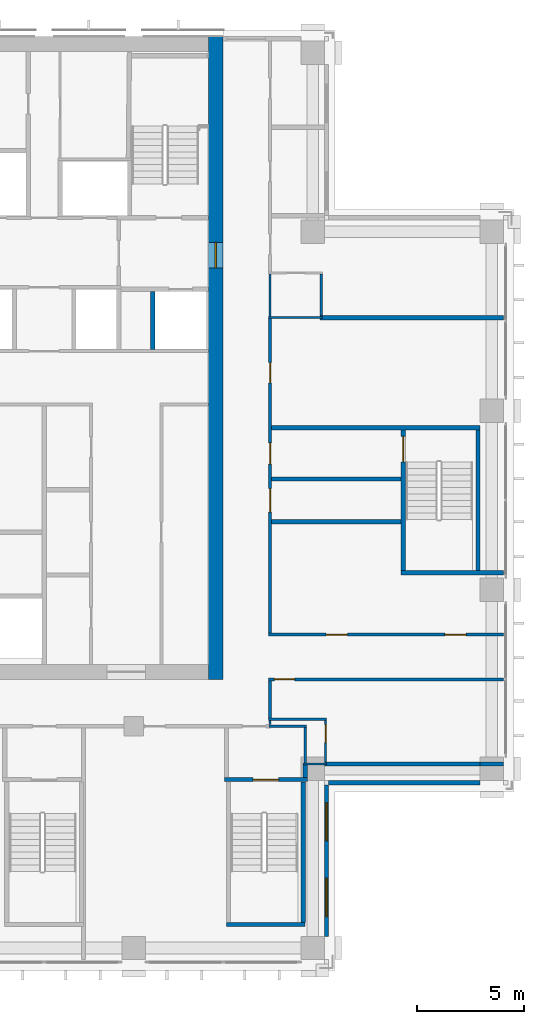
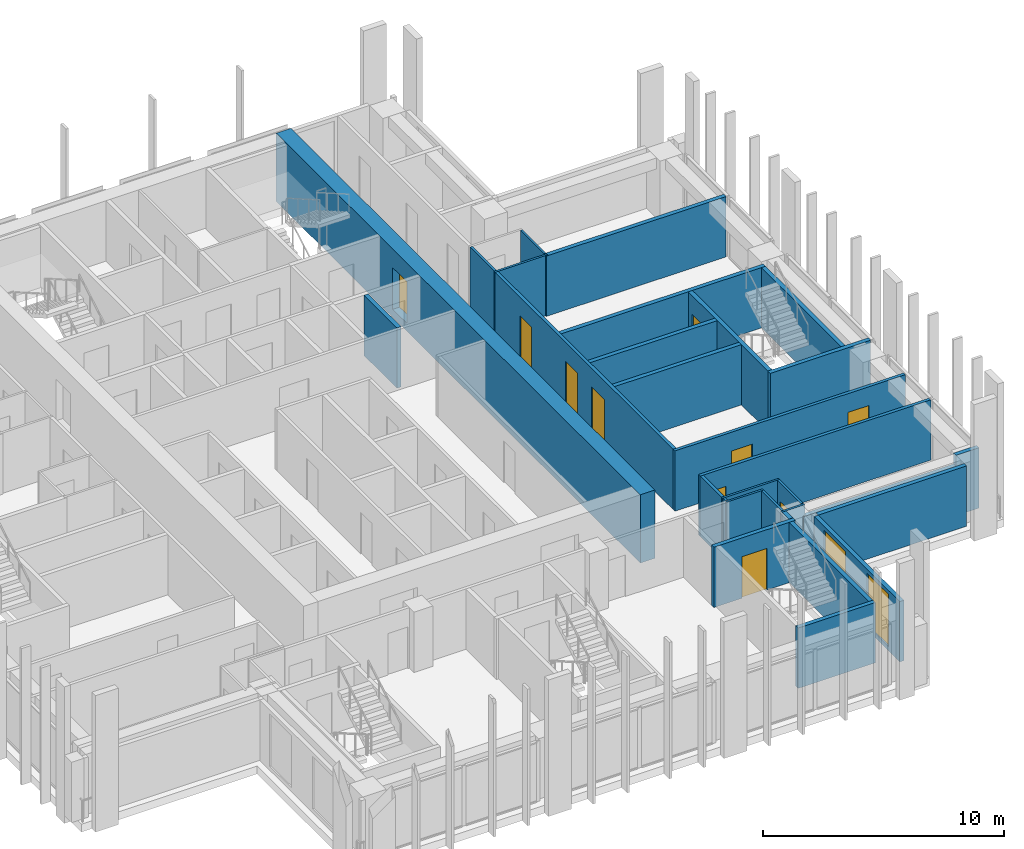
# One storey, part 11 of 17: 30 walls, 10 doors, 2 windows, 12 openings.
"""IFC4 building model written with IfcOpenShell, lengths in metres."""

from ifc_helpers import new_model, si_unit, direction, frame, frame_2d, origin, place, context, subcontext, project, spatial, rectangle, extrude, material, layer, layer_set, type_object, element, fill, save


model = new_model("IFC4")

# Units and contexts
model_context = context("Model", 3, precision=1e-05, world=origin(), true_north=direction((0.0, 1.0)))
body_context = subcontext(model_context, "Body", "Model", "MODEL_VIEW")
ifc_project = project(units=[si_unit("LENGTHUNIT", "METRE"), si_unit("AREAUNIT", "SQUARE_METRE"), si_unit("VOLUMEUNIT", "CUBIC_METRE"), si_unit("PLANEANGLEUNIT", "RADIAN"), si_unit("MASSUNIT", "GRAM", prefix="KILO")], contexts=[model_context])

# Site, building, storey
site_placement = place(None, origin())
site = spatial("IfcSite", under=ifc_project, at=site_placement, CompositionType="ELEMENT")
building_placement = place(site_placement, origin())
building = spatial("IfcBuilding", under=site, at=building_placement, Name="Vermilion Ogive Tower", CompositionType="ELEMENT")
storey_placement = place(building_placement, frame((0.0, 0.0, 157.25)))
storey = spatial("IfcBuildingStorey", under=building, at=storey_placement, Name="L40", CompositionType="ELEMENT", Elevation=157.25)

# Walls
ifc_material_1 = material(Name="Gypsum board partition on steel studs", Category="steel")
ifc_layer_1 = layer(ifc_material_1, 0.10009765625)
ifc_layer_set_1 = layer_set([ifc_layer_1], Name="Partition 100 bath")
wall_type_1 = type_object("IfcWallType", Name="Partition 100 bath", PredefinedType="PARTITIONING", material=ifc_layer_set_1)
wall_1_placement = place(storey_placement, frame((12.152099609375, -12.3701171875, 0.0), z_axis=(0.0, 0.0, 1.0), x_axis=(1.0, 0.0, 0.0)))
element("IfcWall", 1, at=wall_1_placement, inside=storey, type_object=wall_type_1, Name="L40-W-W009", PredefinedType="PARTITIONING", context=body_context, shape_type="SweptSolid", body=[
    extrude(rectangle(XDim=1.097900390625, YDim=0.10009765625, at=frame_2d((0.548828125, 0.0))), origin(), (0.0, 0.0, 1.0), 3.050048828125),
])
wall_2_placement = place(storey_placement, frame((10.550048828125, -10.60009765625, 0.0), z_axis=(0.0, 0.0, 1.0), x_axis=(1.0, 0.0, 0.0)))
element("IfcWall", 2, at=wall_2_placement, inside=storey, type_object=wall_type_1, Name="L40-W-W013", PredefinedType="PARTITIONING", context=body_context, shape_type="SweptSolid", body=[
    extrude(rectangle(XDim=1.75, YDim=0.10009765625, at=frame_2d((0.875, 0.0))), origin(), (0.0, 0.0, 1.0), 3.050048828125),
])
wall_3_placement = place(storey_placement, frame((10.52490234375, -10.27001953125, 0.0), z_axis=(0.0, 0.0, 1.0), x_axis=(1.0, 0.0, 0.0)))
element("IfcWall", 3, at=wall_3_placement, inside=storey, type_object=wall_type_1, Name="L40-W-W015", PredefinedType="PARTITIONING", context=body_context, shape_type="SweptSolid", body=[
    extrude(rectangle(XDim=2.72509765625, YDim=0.10009765625, at=frame_2d((1.362548828125, 0.0))), origin(), (0.0, 0.0, 1.0), 3.050048828125),
])
wall_4_placement = place(storey_placement, frame((10.52490234375, 8.570068359375, 0.0), z_axis=(0.0, 0.0, 1.0), x_axis=(1.0, 0.0, 0.0)))
element("IfcWall", 4, at=wall_4_placement, inside=storey, type_object=wall_type_1, Name="L40-W-W030", PredefinedType="PARTITIONING", context=body_context, shape_type="SweptSolid", body=[
    extrude(rectangle(XDim=2.525146484375, YDim=0.10009765625, at=frame_2d((1.2626953125, 0.0))), origin(), (0.0, 0.0, 1.0), 3.050048828125),
])
wall_5_placement = place(storey_placement, frame((10.60009765625, -10.52490234375, 0.0), z_axis=(0.0, 0.0, 1.0), x_axis=(0.0, 1.0, 0.0)))
element("IfcWall", 5, at=wall_5_placement, inside=storey, type_object=wall_type_1, Name="L40-W-W062", PredefinedType="PARTITIONING", context=body_context, shape_type="SweptSolid", body=[
    extrude(rectangle(XDim=0.204833984375, YDim=0.10009765625, at=frame_2d((0.1025390625, 0.0))), origin(), (0.0, 0.0, 1.0), 3.050048828125),
])
wall_6_placement = place(storey_placement, frame((10.60009765625, 8.6201171875, 0.0), z_axis=(0.0, 0.0, 1.0), x_axis=(0.0, 1.0, 0.0)))
element("IfcWall", 6, at=wall_6_placement, inside=storey, type_object=wall_type_1, Name="L40-W-W065", PredefinedType="PARTITIONING", context=body_context, shape_type="SweptSolid", body=[
    extrude(rectangle(XDim=2.0, YDim=0.10009765625, at=frame_2d((1.0, 0.0))), origin(), (0.0, 0.0, 1.0), 3.050048828125),
])
wall_7_placement = place(storey_placement, frame((12.25, -12.320068359375, 0.0), z_axis=(0.0, 0.0, 1.0), x_axis=(0.0, 1.0, 0.0)))
element("IfcWall", 7, at=wall_7_placement, inside=storey, type_object=wall_type_1, Name="L40-W-W069", PredefinedType="PARTITIONING", context=body_context, shape_type="SweptSolid", body=[
    extrude(rectangle(XDim=1.670166015625, YDim=0.10009765625, at=frame_2d((0.8349609375, 0.0))), origin(), (0.0, 0.0, 1.0), 3.050048828125),
])
wall_8_placement = place(storey_placement, frame((13.0, 8.669921875, 0.0), z_axis=(0.0, 0.0, 1.0), x_axis=(0.0, 1.0, 0.0)))
element("IfcWall", 8, at=wall_8_placement, inside=storey, type_object=wall_type_1, Name="L40-W-W070", PredefinedType="PARTITIONING", context=body_context, shape_type="SweptSolid", body=[
    extrude(rectangle(XDim=1.9501953125, YDim=0.10009765625, at=frame_2d((0.97509765625, 0.0))), origin(), (0.0, 0.0, 1.0), 3.050048828125),
])

# Wall, opening, door
wall_9_placement = place(storey_placement, frame((13.199951171875, -12.27001953125, 0.0), z_axis=(0.0, 0.0, 1.0), x_axis=(0.0, 1.0, 0.0)))
wall_9 = element("IfcWall", 9, at=wall_9_placement, inside=storey, type_object=wall_type_1, Name="L40-W-W071", PredefinedType="PARTITIONING", context=body_context, shape_type="SweptSolid", body=[
    extrude(rectangle(XDim=1.949951171875, YDim=0.10009765625, at=frame_2d((0.97509765625, 0.0))), origin(), (0.0, 0.0, 1.0), 3.050048828125),
])
opening_1_placement = place(wall_9_placement, frame((0.89990234375, 0.0, 0.0)))
opening_1 = element("IfcOpeningElement", 10, at=opening_1_placement, cuts=wall_9, Name="Opening D3G4012", PredefinedType="OPENING", context=body_context, shape_type="SweptSolid", body=[
    extrude(rectangle(XDim=0.85009765625, YDim=2.10009765625, at=frame_2d((0.425048828125, 1.050048828125))), frame((0.0, 0.06005859375, 0.0), z_axis=(0.0, -1.0, 0.0), x_axis=(1.0, 0.0, 0.0)), (0.0, 0.0, 1.0), 0.1201171875),
])
ifc_material_2 = material(Name="Timber door leaf", Category="wood")
door_type_1 = type_object("IfcDoorType", Name="Bath door 850 x 2100 FD30", OperationType="SINGLE_SWING_LEFT", PredefinedType="DOOR", material=ifc_material_2)
door_1_placement = place(opening_1_placement, origin())
door_1 = element("IfcDoor", 11, at=door_1_placement, inside=storey, type_object=door_type_1, Name="L40-D-D012", OperationType="SINGLE_SWING_LEFT", OverallHeight=2.10009765625, OverallWidth=0.85009765625, PredefinedType="DOOR", context=body_context, shape_type="SweptSolid", body=[
    extrude(rectangle(XDim=0.85009765625, YDim=2.10009765625, at=frame_2d((0.425048828125, 1.050048828125))), frame((0.0, 0.02490234375, 0.0), z_axis=(0.0, -1.0, 0.0), x_axis=(1.0, 0.0, 0.0)), (0.0, 0.0, 1.0), 0.050048828125),
])
fill(opening_1, door_1)

ifc_material_3 = material(Name="Gypsum board partition on steel studs", Category="steel")
ifc_layer_2 = layer(ifc_material_3, 0.14990234375)
ifc_layer_set_2 = layer_set([ifc_layer_2], Name="Partition 150 corridor")
wall_type_2 = type_object("IfcWallType", Name="Partition 150 corridor", PredefinedType="PARTITIONING", material=ifc_layer_set_2)
wall_10_placement = place(storey_placement, frame((10.52490234375, -8.39990234375, 0.0), z_axis=(0.0, 0.0, 1.0), x_axis=(1.0, 0.0, 0.0)))
wall_10 = element("IfcWall", 12, at=wall_10_placement, inside=storey, type_object=wall_type_2, Name="L40-W-W017", PredefinedType="PARTITIONING", context=body_context, shape_type="SweptSolid", body=[
    extrude(rectangle(XDim=11.025146484375, YDim=0.14990234375, at=frame_2d((5.5126953125, 0.0))), origin(), (0.0, 0.0, 1.0), 3.050048828125),
])
opening_2_placement = place(wall_10_placement, frame((0.275146484375, 0.0, 0.0)))
opening_2 = element("IfcOpeningElement", 13, at=opening_2_placement, cuts=wall_10, Name="Opening D3G4011", PredefinedType="OPENING", context=body_context, shape_type="SweptSolid", body=[
    extrude(rectangle(XDim=0.949951171875, YDim=2.10009765625, at=frame_2d((0.47509765625, 1.050048828125))), frame((0.0, 0.0849609375, 0.0), z_axis=(0.0, -1.0, 0.0), x_axis=(1.0, 0.0, 0.0)), (0.0, 0.0, 1.0), 0.169921875),
])
ifc_material_4 = material(Name="Timber door leaf", Category="wood")
door_type_2 = type_object("IfcDoorType", Name="Unit door 950 x 2100 FD30S", OperationType="SINGLE_SWING_LEFT", PredefinedType="DOOR", material=ifc_material_4)
door_2_placement = place(opening_2_placement, origin())
door_2 = element("IfcDoor", 14, at=door_2_placement, inside=storey, type_object=door_type_2, Name="L40-D-D011", OperationType="SINGLE_SWING_RIGHT", OverallHeight=2.10009765625, OverallWidth=0.949951171875, PredefinedType="DOOR", context=body_context, shape_type="SweptSolid", body=[
    extrude(rectangle(XDim=0.949951171875, YDim=2.10009765625, at=frame_2d((0.47509765625, 1.050048828125))), frame((0.0, 0.02490234375, 0.0), z_axis=(0.0, -1.0, 0.0), x_axis=(1.0, 0.0, 0.0)), (0.0, 0.0, 1.0), 0.050048828125),
])
fill(opening_2, door_2)

# Wall, openings, doors
wall_11_placement = place(storey_placement, frame((10.52490234375, -6.300048828125, 0.0), z_axis=(0.0, 0.0, 1.0), x_axis=(1.0, 0.0, 0.0)))
wall_11 = element("IfcWall", 15, at=wall_11_placement, inside=storey, type_object=wall_type_2, Name="L40-W-W019", PredefinedType="PARTITIONING", context=body_context, shape_type="SweptSolid", body=[
    extrude(rectangle(XDim=11.025146484375, YDim=0.14990234375, at=frame_2d((5.5126953125, 0.0))), origin(), (0.0, 0.0, 1.0), 3.050048828125),
])
opening_3_placement = place(wall_11_placement, frame((2.7001953125, 0.0, 0.0)))
opening_3 = element("IfcOpeningElement", 16, at=opening_3_placement, cuts=wall_11, Name="Opening D3G4030", PredefinedType="OPENING", context=body_context, shape_type="SweptSolid", body=[
    extrude(rectangle(XDim=1.0, YDim=2.10009765625, at=frame_2d((0.5, 1.050048828125))), frame((0.0, 0.0849609375, 0.0), z_axis=(0.0, -1.0, 0.0), x_axis=(1.0, 0.0, 0.0)), (0.0, 0.0, 1.0), 0.169921875),
])
opening_4_placement = place(wall_11_placement, frame((8.275634765625, 0.0, 0.0)))
opening_4 = element("IfcOpeningElement", 17, at=opening_4_placement, cuts=wall_11, Name="Opening D3G4031", PredefinedType="OPENING", context=body_context, shape_type="SweptSolid", body=[
    extrude(rectangle(XDim=1.0, YDim=2.10009765625, at=frame_2d((0.5, 1.050048828125))), frame((0.0, 0.0849609375, 0.0), z_axis=(0.0, -1.0, 0.0), x_axis=(1.0, 0.0, 0.0)), (0.0, 0.0, 1.0), 0.169921875),
])
ifc_material_5 = material(Name="Timber door leaf", Category="wood")
door_type_3 = type_object("IfcDoorType", Name="Unit door 1000 x 2100 FD30S", OperationType="SINGLE_SWING_LEFT", PredefinedType="DOOR", material=ifc_material_5)
door_3_placement = place(opening_3_placement, origin())
door_3 = element("IfcDoor", 18, at=door_3_placement, inside=storey, type_object=door_type_3, Name="L40-D-D030", OperationType="SINGLE_SWING_RIGHT", OverallHeight=2.10009765625, OverallWidth=1.0, PredefinedType="DOOR", context=body_context, shape_type="SweptSolid", body=[
    extrude(rectangle(XDim=1.0, YDim=2.10009765625, at=frame_2d((0.5, 1.050048828125))), frame((0.0, 0.02490234375, 0.0), z_axis=(0.0, -1.0, 0.0), x_axis=(1.0, 0.0, 0.0)), (0.0, 0.0, 1.0), 0.050048828125),
])
fill(opening_3, door_3)
door_4_placement = place(opening_4_placement, origin())
door_4 = element("IfcDoor", 19, at=door_4_placement, inside=storey, type_object=door_type_3, Name="L40-D-D031", OperationType="SINGLE_SWING_RIGHT", OverallHeight=2.10009765625, OverallWidth=1.0, PredefinedType="DOOR", context=body_context, shape_type="SweptSolid", body=[
    extrude(rectangle(XDim=1.0, YDim=2.10009765625, at=frame_2d((0.5, 1.050048828125))), frame((0.0, 0.02490234375, 0.0), z_axis=(0.0, -1.0, 0.0), x_axis=(1.0, 0.0, 0.0)), (0.0, 0.0, 1.0), 0.050048828125),
])
fill(opening_4, door_4)

# Wall
wall_12_placement = place(storey_placement, frame((10.60009765625, -10.219970703125, 0.0), z_axis=(0.0, 0.0, 1.0), x_axis=(0.0, 1.0, 0.0)))
element("IfcWall", 20, at=wall_12_placement, inside=storey, type_object=wall_type_2, Name="L40-W-W063", PredefinedType="PARTITIONING", context=body_context, shape_type="SweptSolid", body=[
    extrude(rectangle(XDim=1.744873046875, YDim=0.14990234375, at=frame_2d((0.87255859375, 0.0))), origin(), (0.0, 0.0, 1.0), 3.050048828125),
])

# Wall, openings, doors
wall_13_placement = place(storey_placement, frame((10.60009765625, -6.22509765625, 0.0), z_axis=(0.0, 0.0, 1.0), x_axis=(0.0, 1.0, 0.0)))
wall_13 = element("IfcWall", 21, at=wall_13_placement, inside=storey, type_object=wall_type_2, Name="L40-W-W064", PredefinedType="PARTITIONING", context=body_context, shape_type="SweptSolid", body=[
    extrude(rectangle(XDim=14.7451171875, YDim=0.14990234375, at=frame_2d((7.37255859375, 0.0))), origin(), (0.0, 0.0, 1.0), 3.050048828125),
])
opening_5_placement = place(wall_13_placement, frame((11.735107421875, 0.0, 0.0)))
opening_5 = element("IfcOpeningElement", 22, at=opening_5_placement, cuts=wall_13, Name="Opening D3G4013", PredefinedType="OPENING", context=body_context, shape_type="SweptSolid", body=[
    extrude(rectangle(XDim=0.949951171875, YDim=2.10009765625, at=frame_2d((0.47509765625, 1.050048828125))), frame((0.0, 0.0849609375, 0.0), z_axis=(0.0, -1.0, 0.0), x_axis=(1.0, 0.0, 0.0)), (0.0, 0.0, 1.0), 0.169921875),
])
opening_6_placement = place(wall_13_placement, frame((5.675048828125, 0.0, 0.0)))
opening_6 = element("IfcOpeningElement", 23, at=opening_6_placement, cuts=wall_13, Name="Opening D3G4024", PredefinedType="OPENING", context=body_context, shape_type="SweptSolid", body=[
    extrude(rectangle(XDim=1.10009765625, YDim=2.10009765625, at=frame_2d((0.550048828125, 1.050048828125))), frame((0.0, 0.0849609375, 0.0), z_axis=(0.0, -1.0, 0.0), x_axis=(1.0, 0.0, 0.0)), (0.0, 0.0, 1.0), 0.169921875),
])
opening_7_placement = place(wall_13_placement, frame((7.925048828125, 0.0, 0.0)))
opening_7 = element("IfcOpeningElement", 24, at=opening_7_placement, cuts=wall_13, Name="Opening D3G4033", PredefinedType="OPENING", context=body_context, shape_type="SweptSolid", body=[
    extrude(rectangle(XDim=1.0, YDim=2.10009765625, at=frame_2d((0.5, 1.050048828125))), frame((0.0, 0.0849609375, 0.0), z_axis=(0.0, -1.0, 0.0), x_axis=(1.0, 0.0, 0.0)), (0.0, 0.0, 1.0), 0.169921875),
])
ifc_material_6 = material(Name="Timber door leaf", Category="wood")
door_type_4 = type_object("IfcDoorType", Name="Stair door 1100 x 2100 FD60S", OperationType="SINGLE_SWING_LEFT", PredefinedType="DOOR", material=ifc_material_6)
door_5_placement = place(opening_6_placement, origin())
door_5 = element("IfcDoor", 25, at=door_5_placement, inside=storey, type_object=door_type_4, Name="L40-D-D024", OperationType="SINGLE_SWING_LEFT", OverallHeight=2.10009765625, OverallWidth=1.10009765625, PredefinedType="DOOR", context=body_context, shape_type="SweptSolid", body=[
    extrude(rectangle(XDim=1.10009765625, YDim=2.10009765625, at=frame_2d((0.550048828125, 1.050048828125))), frame((0.0, 0.02490234375, 0.0), z_axis=(0.0, -1.0, 0.0), x_axis=(1.0, 0.0, 0.0)), (0.0, 0.0, 1.0), 0.050048828125),
])
fill(opening_6, door_5)
door_6_placement = place(opening_7_placement, origin())
door_6 = element("IfcDoor", 26, at=door_6_placement, inside=storey, type_object=door_type_3, Name="L40-D-D033", OperationType="SINGLE_SWING_RIGHT", OverallHeight=2.10009765625, OverallWidth=1.0, PredefinedType="DOOR", context=body_context, shape_type="SweptSolid", body=[
    extrude(rectangle(XDim=1.0, YDim=2.10009765625, at=frame_2d((0.5, 1.050048828125))), frame((0.0, 0.02490234375, 0.0), z_axis=(0.0, -1.0, 0.0), x_axis=(1.0, 0.0, 0.0)), (0.0, 0.0, 1.0), 0.050048828125),
])
fill(opening_7, door_6)
door_7_placement = place(opening_5_placement, origin())
door_7 = element("IfcDoor", 27, at=door_7_placement, inside=storey, type_object=door_type_2, Name="L40-D-D013", OperationType="SINGLE_SWING_LEFT", OverallHeight=2.10009765625, OverallWidth=0.949951171875, PredefinedType="DOOR", context=body_context, shape_type="SweptSolid", body=[
    extrude(rectangle(XDim=0.949951171875, YDim=2.10009765625, at=frame_2d((0.47509765625, 1.050048828125))), frame((0.0, 0.02490234375, 0.0), z_axis=(0.0, -1.0, 0.0), x_axis=(1.0, 0.0, 0.0)), (0.0, 0.0, 1.0), 0.050048828125),
])
fill(opening_5, door_7)

# Walls
ifc_material_7 = material(Name="Gypsum board partition on steel studs", Category="steel")
ifc_layer_3 = layer(ifc_material_7, 0.199951171875)
ifc_layer_set_3 = layer_set([ifc_layer_3], Name="Partition 200 party")
wall_type_3 = type_object("IfcWallType", Name="Partition 200 party", PredefinedType="PARTITIONING", material=ifc_layer_set_3)
for number, where, z_axis, x_axis, name in (
    (28, (10.675048828125, -1.0, 0.0), (0.0, 0.0, 1.0), (1.0, 0.0, 0.0), "L40-W-W023"),
    (29, (10.675048828125, 1.0, 0.0), (0.0, 0.0, 1.0), (1.0, 0.0, 0.0), "L40-W-W025"),
):
    element("IfcWall", number, at=place(storey_placement, frame(where, z_axis=z_axis, x_axis=x_axis)), inside=storey, type_object=wall_type_3, Name=name, PredefinedType="PARTITIONING", context=body_context, shape_type="SweptSolid", body=[
        extrude(rectangle(XDim=6.074951171875, YDim=0.199951171875, at=frame_2d((3.03759765625, 0.0))), origin(), (0.0, 0.0, 1.0), 3.050048828125),
    ])
wall_14_placement = place(storey_placement, frame((12.949951171875, 8.570068359375, 0.0), z_axis=(0.0, 0.0, 1.0), x_axis=(1.0, 0.0, 0.0)))
element("IfcWall", 30, at=wall_14_placement, inside=storey, type_object=wall_type_3, Name="L40-W-W031", PredefinedType="PARTITIONING", context=body_context, shape_type="SweptSolid", body=[
    extrude(rectangle(XDim=8.60009765625, YDim=0.199951171875, at=frame_2d((4.300048828125, 0.0))), origin(), (0.0, 0.0, 1.0), 3.050048828125),
])
wall_15_placement = place(storey_placement, frame((12.25, -12.998046875, 0.0), z_axis=(0.0, 0.0, 1.0), x_axis=(0.0, 1.0, 0.0)))
element("IfcWall", 31, at=wall_15_placement, inside=storey, type_object=wall_type_3, Name="L40-W-W068", PredefinedType="PARTITIONING", context=body_context, shape_type="SweptSolid", body=[
    extrude(rectangle(XDim=0.575927734375, YDim=0.199951171875, at=frame_2d((0.2880859375, 0.0))), origin(), (0.0, 0.0, 1.0), 3.050048828125),
])
wall_16_placement = place(storey_placement, frame((5.10009765625, 7.074951171875, 0.0), z_axis=(0.0, 0.0, 1.0), x_axis=(0.0, 1.0, 0.0)))
element("IfcWall", 32, at=wall_16_placement, inside=storey, type_object=wall_type_3, Name="L40-CK-W-W037", PredefinedType="PARTITIONING", context=body_context, shape_type="SweptSolid", body=[
    extrude(rectangle(XDim=2.72509765625, YDim=0.199951171875, at=frame_2d((1.362548828125, 0.0))), origin(), (0.0, 0.0, 1.0), 3.050048828125),
])
wall_17_placement = place(storey_placement, frame((13.14990234375, -12.3701171875, 0.0), z_axis=(0.0, 0.0, 1.0), x_axis=(1.0, 0.0, 0.0)))
element("IfcWall", 33, at=wall_17_placement, inside=storey, type_object=wall_type_3, Name="L40-W-W010-h1", PredefinedType="PARTITIONING", context=body_context, shape_type="SweptSolid", body=[
    extrude(rectangle(XDim=7.300048828125, YDim=0.199951171875, at=frame_2d((3.64990234375, 0.0))), origin(), (0.0, 0.0, 1.0), 2.5),
])
wall_18_placement = place(storey_placement, frame((20.449951171875, -12.3701171875, 0.0), z_axis=(0.0, 0.0, 1.0), x_axis=(1.0, 0.0, 0.0)))
element("IfcWall", 34, at=wall_18_placement, inside=storey, type_object=wall_type_3, Name="L40-W-W010-h2", PredefinedType="PARTITIONING", context=body_context, shape_type="SweptSolid", body=[
    extrude(rectangle(XDim=1.10009765625, YDim=0.199951171875, at=frame_2d((0.550048828125, 0.0))), origin(), (0.0, 0.0, 1.0), 3.050048828125),
])

# Wall, opening, door
ifc_material_8 = material(Name="Concrete B60", Category="concrete")
ifc_layer_4 = layer(ifc_material_8, 0.199951171875)
ifc_layer_set_4 = layer_set([ifc_layer_4], Name="Stair shaft wall 200 Concrete B60")
wall_type_4 = type_object("IfcWallType", Name="Stair shaft wall 200 Concrete B60", PredefinedType="SOLIDWALL", material=ifc_layer_set_4)
wall_19_placement = place(storey_placement, frame((8.050048828125, -8.39990234375, -0.39990234375), z_axis=(0.0, 0.0, 1.0), x_axis=(0.0, 1.0, 0.0)))
wall_19 = element("IfcWall", 35, at=wall_19_placement, inside=storey, type_object=wall_type_4, Name="L40-CORE-E", PredefinedType="SOLIDWALL", context=body_context, shape_type="SweptSolid", body=[
    extrude(rectangle(XDim=30.14990234375, YDim=0.699951171875, at=frame_2d((15.074951171875, 0.0))), origin(), (0.0, 0.0, 1.0), 3.449951171875),
])
opening_8_placement = place(wall_19_placement, frame((19.300048828125, 0.0, 0.39990234375)))
opening_8 = element("IfcOpeningElement", 36, at=opening_8_placement, cuts=wall_19, Name="Opening DAL016", PredefinedType="OPENING", context=body_context, shape_type="SweptSolid", body=[
    extrude(rectangle(XDim=1.199951171875, YDim=2.10009765625, at=frame_2d((0.60009765625, 1.050048828125))), frame((0.0, 0.35986328125, 0.0), z_axis=(0.0, -1.0, 0.0), x_axis=(1.0, 0.0, 0.0)), (0.0, 0.0, 1.0), 0.719970703125),
])
ifc_material_9 = material(Name="Timber door leaf", Category="wood")
door_type_5 = type_object("IfcDoorType", Name="Link door 1200 x 2100 FD60S", OperationType="SINGLE_SWING_LEFT", PredefinedType="DOOR", material=ifc_material_9)
door_8_placement = place(opening_8_placement, origin())
door_8 = element("IfcDoor", 37, at=door_8_placement, inside=storey, type_object=door_type_5, Name="L40-CK-XD4", OperationType="SINGLE_SWING_LEFT", OverallHeight=2.10009765625, OverallWidth=1.199951171875, PredefinedType="DOOR", context=body_context, shape_type="SweptSolid", body=[
    extrude(rectangle(XDim=1.199951171875, YDim=2.10009765625, at=frame_2d((0.60009765625, 1.050048828125))), frame((0.0, 0.02490234375, 0.0), z_axis=(0.0, -1.0, 0.0), x_axis=(1.0, 0.0, 0.0)), (0.0, 0.0, 1.0), 0.050048828125),
])
fill(opening_8, door_8)

# Wall
wall_20_placement = place(storey_placement, frame((8.552001953125, -19.89990234375, 0.0), z_axis=(0.0, 0.0, 1.0), x_axis=(1.0, 0.0, 0.0)))
element("IfcWall", 38, at=wall_20_placement, inside=storey, type_object=wall_type_4, Name="L40-W-W003", PredefinedType="SOLIDWALL", context=body_context, shape_type="SweptSolid", body=[
    extrude(rectangle(XDim=3.696044921875, YDim=0.199951171875, at=frame_2d((1.84814453125, 0.0))), origin(), (0.0, 0.0, 1.0), 3.050048828125),
])

# Wall, opening, door
wall_21_placement = place(storey_placement, frame((8.451904296875, -13.10009765625, 0.0), z_axis=(0.0, 0.0, 1.0), x_axis=(1.0, 0.0, 0.0)))
wall_21 = element("IfcWall", 39, at=wall_21_placement, inside=storey, type_object=wall_type_4, Name="L40-W-W006", PredefinedType="SOLIDWALL", context=body_context, shape_type="SweptSolid", body=[
    extrude(rectangle(XDim=3.89599609375, YDim=0.199951171875, at=frame_2d((1.947998046875, 0.0))), origin(), (0.0, 0.0, 1.0), 3.050048828125),
])
opening_9_placement = place(wall_21_placement, frame((1.34814453125, 0.0, 0.0)))
opening_9 = element("IfcOpeningElement", 40, at=opening_9_placement, cuts=wall_21, Name="Opening D3G4023", PredefinedType="OPENING", context=body_context, shape_type="SweptSolid", body=[
    extrude(rectangle(XDim=1.199951171875, YDim=2.10009765625, at=frame_2d((0.60009765625, 1.050048828125))), frame((0.0, 0.10986328125, 0.0), z_axis=(0.0, -1.0, 0.0), x_axis=(1.0, 0.0, 0.0)), (0.0, 0.0, 1.0), 0.219970703125),
])
ifc_material_10 = material(Name="Timber door leaf", Category="wood")
door_type_6 = type_object("IfcDoorType", Name="Stair door 1200 x 2100 FD60S", OperationType="SINGLE_SWING_LEFT", PredefinedType="DOOR", material=ifc_material_10)
door_9_placement = place(opening_9_placement, origin())
door_9 = element("IfcDoor", 41, at=door_9_placement, inside=storey, type_object=door_type_6, Name="L40-D-D023", OperationType="SINGLE_SWING_RIGHT", OverallHeight=2.10009765625, OverallWidth=1.199951171875, PredefinedType="DOOR", context=body_context, shape_type="SweptSolid", body=[
    extrude(rectangle(XDim=1.199951171875, YDim=2.10009765625, at=frame_2d((0.60009765625, 1.050048828125))), frame((0.0, 0.02490234375, 0.0), z_axis=(0.0, -1.0, 0.0), x_axis=(1.0, 0.0, 0.0)), (0.0, 0.0, 1.0), 0.050048828125),
])
fill(opening_9, door_9)

# Walls
wall_22_placement = place(storey_placement, frame((16.7509765625, -3.39990234375, 0.0), z_axis=(0.0, 0.0, 1.0), x_axis=(1.0, 0.0, 0.0)))
element("IfcWall", 42, at=wall_22_placement, inside=storey, type_object=wall_type_4, Name="L40-W-W021", PredefinedType="SOLIDWALL", context=body_context, shape_type="SweptSolid", body=[
    extrude(rectangle(XDim=4.799072265625, YDim=0.199951171875, at=frame_2d((2.3994140625, 0.0))), origin(), (0.0, 0.0, 1.0), 3.050048828125),
])
wall_23_placement = place(storey_placement, frame((10.675048828125, 3.39990234375, 0.0), z_axis=(0.0, 0.0, 1.0), x_axis=(1.0, 0.0, 0.0)))
element("IfcWall", 43, at=wall_23_placement, inside=storey, type_object=wall_type_4, Name="L40-W-W028", PredefinedType="SOLIDWALL", context=body_context, shape_type="SweptSolid", body=[
    extrude(rectangle(XDim=9.77294921875, YDim=0.199951171875, at=frame_2d((4.886474609375, 0.0))), origin(), (0.0, 0.0, 1.0), 3.050048828125),
])
wall_24_placement = place(storey_placement, frame((12.14990234375, -19.798095703125, 0.0), z_axis=(0.0, 0.0, 1.0), x_axis=(0.0, 1.0, 0.0)))
element("IfcWall", 44, at=wall_24_placement, inside=storey, type_object=wall_type_4, Name="L40-W-W067", PredefinedType="SOLIDWALL", context=body_context, shape_type="SweptSolid", body=[
    extrude(rectangle(XDim=6.59619140625, YDim=0.199951171875, at=frame_2d((3.298095703125, 0.0))), origin(), (0.0, 0.0, 1.0), 3.050048828125),
])

# Wall, opening, door
wall_25_placement = place(storey_placement, frame((16.85009765625, -3.300048828125, 0.0), z_axis=(0.0, 0.0, 1.0), x_axis=(0.0, 1.0, 0.0)))
wall_25 = element("IfcWall", 45, at=wall_25_placement, inside=storey, type_object=wall_type_4, Name="L40-W-W072", PredefinedType="SOLIDWALL", context=body_context, shape_type="SweptSolid", body=[
    extrude(rectangle(XDim=6.60009765625, YDim=0.199951171875, at=frame_2d((3.300048828125, 0.0))), origin(), (0.0, 0.0, 1.0), 3.050048828125),
])
opening_10_placement = place(wall_25_placement, frame((5.10009765625, 0.0, 0.0)))
opening_10 = element("IfcOpeningElement", 46, at=opening_10_placement, cuts=wall_25, Name="Opening D3G4025", PredefinedType="OPENING", context=body_context, shape_type="SweptSolid", body=[
    extrude(rectangle(XDim=1.199951171875, YDim=2.10009765625, at=frame_2d((0.60009765625, 1.050048828125))), frame((0.0, 0.10986328125, 0.0), z_axis=(0.0, -1.0, 0.0), x_axis=(1.0, 0.0, 0.0)), (0.0, 0.0, 1.0), 0.219970703125),
])
door_10_placement = place(opening_10_placement, origin())
door_10 = element("IfcDoor", 47, at=door_10_placement, inside=storey, type_object=door_type_6, Name="L40-D-D025", OperationType="SINGLE_SWING_LEFT", OverallHeight=2.10009765625, OverallWidth=1.199951171875, PredefinedType="DOOR", context=body_context, shape_type="SweptSolid", body=[
    extrude(rectangle(XDim=1.199951171875, YDim=2.10009765625, at=frame_2d((0.60009765625, 1.050048828125))), frame((0.0, 0.02490234375, 0.0), z_axis=(0.0, -1.0, 0.0), x_axis=(1.0, 0.0, 0.0)), (0.0, 0.0, 1.0), 0.050048828125),
])
fill(opening_10, door_10)

# Wall
wall_26_placement = place(storey_placement, frame((20.35009765625, -3.298095703125, 0.0), z_axis=(0.0, 0.0, 1.0), x_axis=(0.0, 1.0, 0.0)))
element("IfcWall", 48, at=wall_26_placement, inside=storey, type_object=wall_type_4, Name="L40-W-W073", PredefinedType="SOLIDWALL", context=body_context, shape_type="SweptSolid", body=[
    extrude(rectangle(XDim=6.59619140625, YDim=0.199951171875, at=frame_2d((3.298095703125, 0.0))), origin(), (0.0, 0.0, 1.0), 3.050048828125),
])

# Wall, openings, windows
ifc_material_11 = material(Name="Aluminium window wall framing", Category="aluminium")
ifc_layer_5 = layer(ifc_material_11, 0.199951171875)
ifc_layer_set_5 = layer_set([ifc_layer_5], Name="Window wall")
wall_type_5 = type_object("IfcWallType", Name="Window wall", PredefinedType="STANDARD", material=ifc_layer_set_5)
wall_27_placement = place(storey_placement, frame((13.25, -20.449951171875, 0.0), z_axis=(0.0, 0.0, 1.0), x_axis=(0.0, 1.0, 0.0)))
wall_27 = element("IfcWall", 49, at=wall_27_placement, inside=storey, type_object=wall_type_5, Name="Window wall X11", PredefinedType="STANDARD", context=body_context, shape_type="SweptSolid", body=[
    extrude(rectangle(XDim=7.099853515625, YDim=0.199951171875, at=frame_2d((3.5498046875, 0.0))), origin(), (0.0, 0.0, 1.0), 3.050048828125),
])
opening_11_placement = place(wall_27_placement, frame((0.925048828125, 0.0, 0.199951171875)))
opening_11 = element("IfcOpeningElement", 50, at=opening_11_placement, cuts=wall_27, Name="Opening W1-X195", PredefinedType="OPENING", context=body_context, shape_type="SweptSolid", body=[
    extrude(rectangle(XDim=1.800048828125, YDim=2.64990234375, at=frame_2d((0.89990234375, 1.324951171875))), frame((0.0, 0.10986328125, 0.0), z_axis=(0.0, -1.0, 0.0), x_axis=(1.0, 0.0, 0.0)), (0.0, 0.0, 1.0), 0.219970703125),
])
opening_12_placement = place(wall_27_placement, frame((4.47509765625, 0.0, 0.199951171875)))
opening_12 = element("IfcOpeningElement", 51, at=opening_12_placement, cuts=wall_27, Name="Opening W1-X196", PredefinedType="OPENING", context=body_context, shape_type="SweptSolid", body=[
    extrude(rectangle(XDim=1.800048828125, YDim=2.64990234375, at=frame_2d((0.89990234375, 1.324951171875))), frame((0.0, 0.10986328125, 0.0), z_axis=(0.0, -1.0, 0.0), x_axis=(1.0, 0.0, 0.0)), (0.0, 0.0, 1.0), 0.219970703125),
])
ifc_material_12 = material(Name="Aluminium framed double glazing", Category="aluminium")
window_type = type_object("IfcWindowType", Name="Guest window W1", PartitioningType="SINGLE_PANEL", PredefinedType="WINDOW", material=ifc_material_12)
window_1_placement = place(opening_11_placement, origin())
window_1 = element("IfcWindow", 52, at=window_1_placement, inside=storey, type_object=window_type, Name="Window X195", OverallHeight=2.64990234375, OverallWidth=1.800048828125, PartitioningType="SINGLE_PANEL", PredefinedType="WINDOW", context=body_context, shape_type="SweptSolid", body=[
    extrude(rectangle(XDim=1.800048828125, YDim=2.64990234375, at=frame_2d((0.89990234375, 1.324951171875))), frame((0.0, 0.030029296875, 0.0), z_axis=(0.0, -1.0, 0.0), x_axis=(1.0, 0.0, 0.0)), (0.0, 0.0, 1.0), 0.06005859375),
])
fill(opening_11, window_1)
window_2_placement = place(opening_12_placement, origin())
window_2 = element("IfcWindow", 53, at=window_2_placement, inside=storey, type_object=window_type, Name="Window X196", OverallHeight=2.64990234375, OverallWidth=1.800048828125, PartitioningType="SINGLE_PANEL", PredefinedType="WINDOW", context=body_context, shape_type="SweptSolid", body=[
    extrude(rectangle(XDim=1.800048828125, YDim=2.64990234375, at=frame_2d((0.89990234375, 1.324951171875))), frame((0.0, 0.030029296875, 0.0), z_axis=(0.0, -1.0, 0.0), x_axis=(1.0, 0.0, 0.0)), (0.0, 0.0, 1.0), 0.06005859375),
])
fill(opening_12, window_2)

# Wall
wall_28_placement = place(storey_placement, frame((13.35009765625, -13.25, 0.0), z_axis=(0.0, 0.0, 1.0), x_axis=(1.0, 0.0, 0.0)))
element("IfcWall", 54, at=wall_28_placement, inside=storey, type_object=wall_type_5, Name="Window wall X21", PredefinedType="STANDARD", context=body_context, shape_type="SweptSolid", body=[
    extrude(rectangle(XDim=7.099853515625, YDim=0.199951171875, at=frame_2d((3.5498046875, 0.0))), origin(), (0.0, 0.0, 1.0), 3.050048828125),
])

save(model, "model.ifc")
